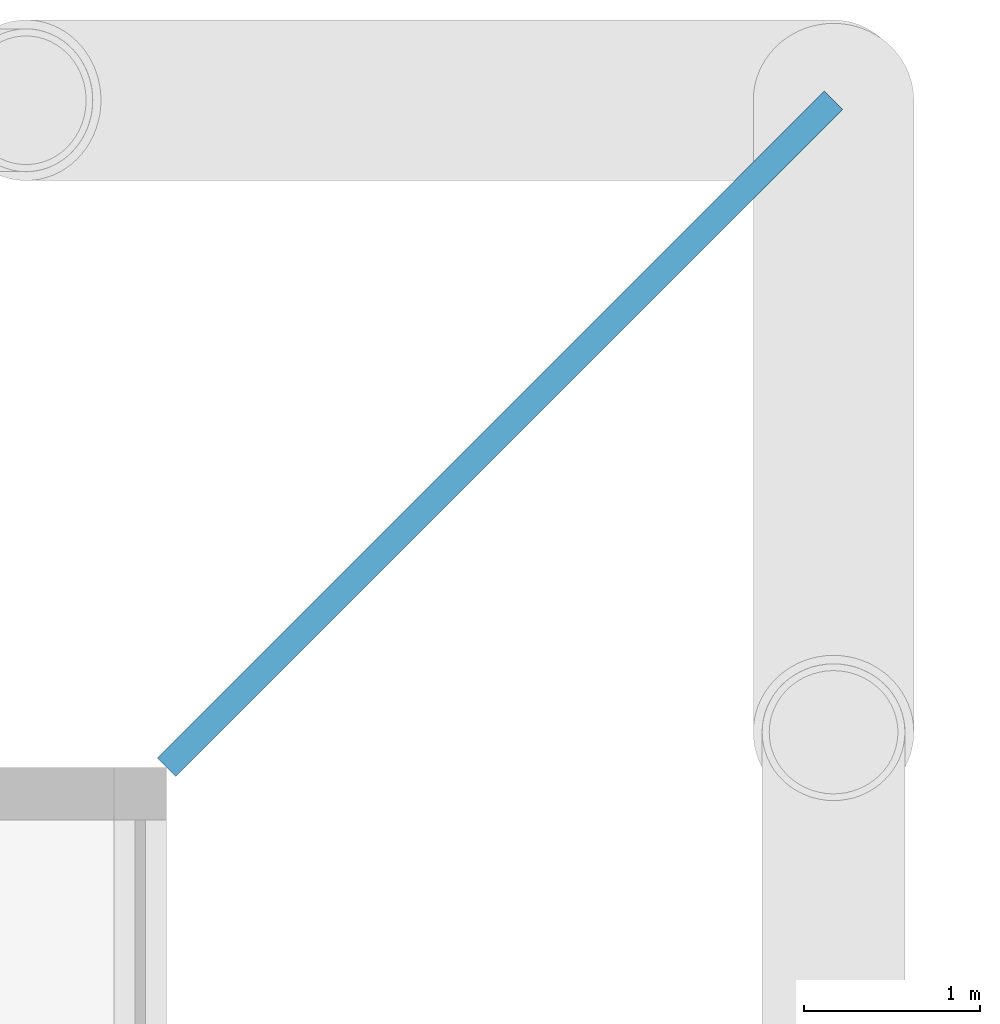
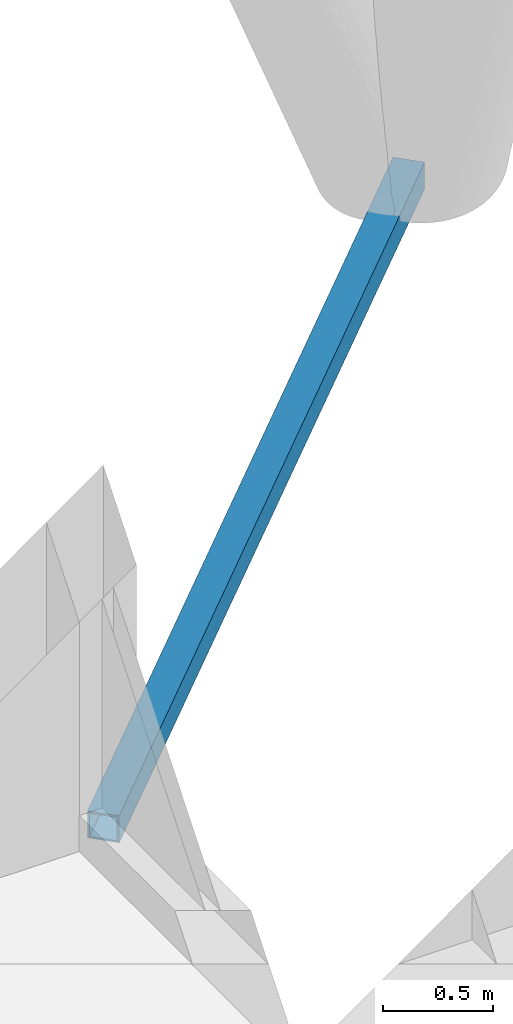
# One storey, part 15 of 17: 1 discrete accessory.
"""IFC4 building model written with IfcOpenShell, lengths in metres."""

from ifc_helpers import new_model, si_unit, direction, frame, origin, origin_2d, place, context, subcontext, project, spatial, hollow_rectangle, extrude, material, element, save


model = new_model("IFC4")

# Units and contexts
model_context = context("Model", 3, precision=1e-05, world=origin(), true_north=direction((0.0, 1.0)))
body_context = subcontext(model_context, "Body", "Model", "MODEL_VIEW")
ifc_project = project(units=[si_unit("LENGTHUNIT", "METRE"), si_unit("AREAUNIT", "SQUARE_METRE"), si_unit("VOLUMEUNIT", "CUBIC_METRE"), si_unit("PLANEANGLEUNIT", "RADIAN"), si_unit("MASSUNIT", "GRAM", prefix="KILO")], contexts=[model_context])

# Site, building, storey
site_placement = place(None, origin())
site = spatial("IfcSite", under=ifc_project, at=site_placement, CompositionType="ELEMENT")
building_placement = place(site_placement, origin())
building = spatial("IfcBuilding", under=site, at=building_placement, Name="Fustian Cross Tower", CompositionType="ELEMENT")
storey_placement = place(building_placement, frame((0.0, 0.0, 32.699951171875)))
storey = spatial("IfcBuildingStorey", under=building, at=storey_placement, Name="L09", CompositionType="ELEMENT", Elevation=32.699951171875)

# Discrete accessory
ifc_material = material(Name="Steel S355", Category="steel")
discrete_accessory_placement = place(storey_placement, frame((9.199951171875, 45.199951171875, -0.14990234375), z_axis=(-0.707106781187, -0.707106781187, 0.0), x_axis=(0.707106781187, -0.707106781187, 0.0)))
element("IfcDiscreteAccessory", 1, at=discrete_accessory_placement, inside=storey, material=ifc_material, Name="Diagrid node bracket L09-12", PredefinedType="BRACKET", context=body_context, shape_type="SweptSolid", body=[
    extrude(hollow_rectangle(XDim=0.14990234375, YDim=0.14990234375, WallThickness=0.010009765625, at=origin_2d()), origin(), (0.0, 0.0, 1.0), 5.3740234375),
])

save(model, "model.ifc")
